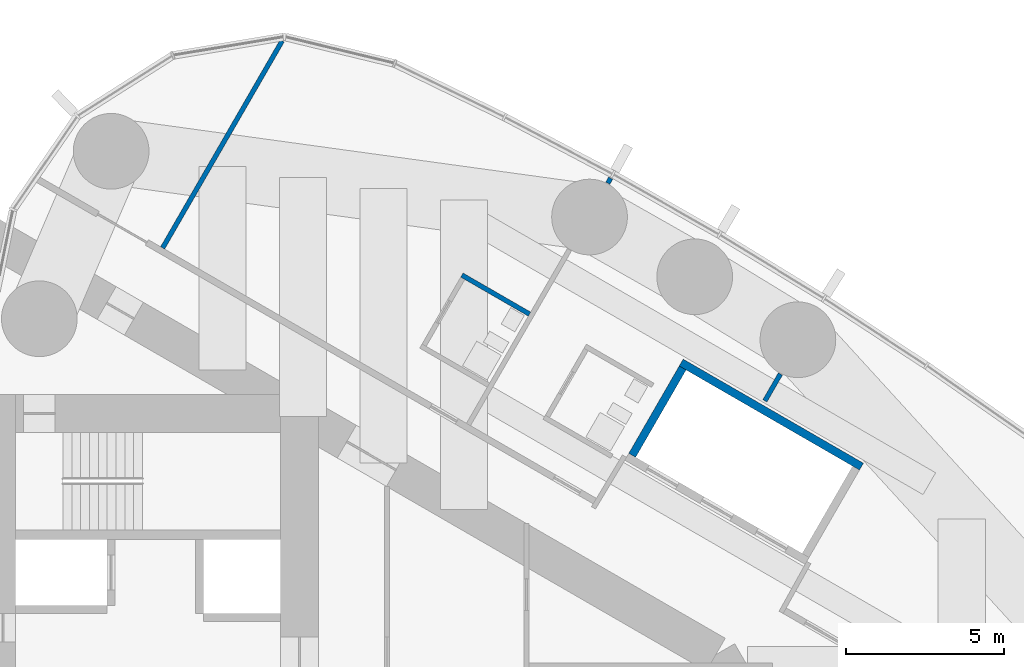
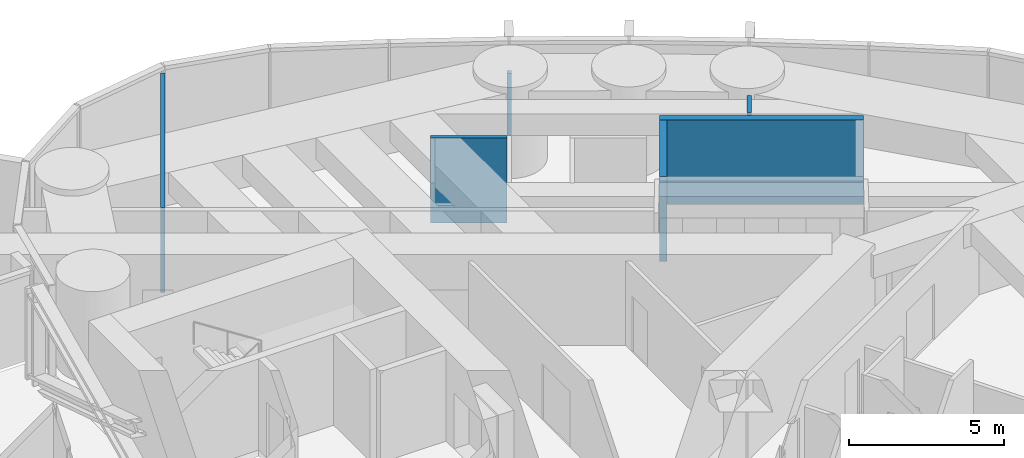
# One storey, part 21 of 24: 6 walls.
"""IFC4 building model written with IfcOpenShell, lengths in metres."""

from ifc_helpers import new_model, si_unit, direction, frame, frame_2d, origin, place, context, subcontext, project, spatial, rectangle, extrude, material, layer, layer_set, type_object, element, save


model = new_model("IFC4")

# Units and contexts
model_context = context("Model", 3, precision=1e-05, world=origin(), true_north=direction((0.0, 1.0)))
body_context = subcontext(model_context, "Body", "Model", "MODEL_VIEW")
ifc_project = project(units=[si_unit("LENGTHUNIT", "METRE"), si_unit("AREAUNIT", "SQUARE_METRE"), si_unit("VOLUMEUNIT", "CUBIC_METRE"), si_unit("PLANEANGLEUNIT", "RADIAN"), si_unit("MASSUNIT", "GRAM", prefix="KILO")], contexts=[model_context])

# Site, building, storey
site_placement = place(None, origin())
site = spatial("IfcSite", under=ifc_project, at=site_placement, CompositionType="ELEMENT")
building_placement = place(site_placement, origin())
building = spatial("IfcBuilding", under=site, at=building_placement, Name="Lancet Gate Hotel", CompositionType="ELEMENT")
storey_placement = place(building_placement, frame((0.0, 0.0, 244.10009765625)))
storey = spatial("IfcBuildingStorey", under=building, at=storey_placement, Name="L65", CompositionType="ELEMENT", Elevation=244.10009765625)

# Walls
ifc_material_1 = material(Name="Moisture resistant board partition")
ifc_layer_1 = layer(ifc_material_1, 0.14990234375)
ifc_layer_set_1 = layer_set([ifc_layer_1], Name="Bathroom wall 150")
wall_type_1 = type_object("IfcWallType", Name="Bathroom wall 150", PredefinedType="PARTITIONING", material=ifc_layer_set_1)
wall_1_placement = place(storey_placement, frame((42.451171875, 12.384765625, 0.0), z_axis=(0.0, 0.0, 1.0), x_axis=(0.866031185235, -0.4999899861, 0.0)))
element("IfcWall", 1, at=wall_1_placement, inside=storey, type_object=wall_type_1, Name="T2 bathroom wall 150 L65", PredefinedType="PARTITIONING", context=body_context, shape_type="SweptSolid", body=[
    extrude(rectangle(XDim=2.47509765625, YDim=0.14990234375, at=frame_2d((1.237548828125, 0.0))), origin(), (0.0, 0.0, 1.0), 3.349853515625),
])
ifc_material_2 = material(Name="Gypsum board partition")
ifc_layer_2 = layer(ifc_material_2, 0.25)
ifc_layer_set_2 = layer_set([ifc_layer_2], Name="Lift shaft partition 250")
wall_type_2 = type_object("IfcWallType", Name="Lift shaft partition 250", PredefinedType="PARTITIONING", material=ifc_layer_set_2)
wall_2_placement = place(storey_placement, frame((49.406494140625, 9.61083984375, 0.0), z_axis=(0.0, 0.0, 1.0), x_axis=(0.86603344179, -0.499986077507, 0.0)))
element("IfcWall", 2, at=wall_2_placement, inside=storey, type_object=wall_type_2, Name="T2 lift shaft wall HL L65", PredefinedType="PARTITIONING", context=body_context, shape_type="SweptSolid", body=[
    extrude(rectangle(XDim=6.600341796875, YDim=0.25, at=frame_2d((3.30029296875, 0.0))), origin(), (0.0, 0.0, 1.0), 3.349853515625),
])
wall_3_placement = place(storey_placement, frame((47.852294921875, 6.66796875, 0.0), z_axis=(0.0, 0.0, 1.0), x_axis=(0.499929347863, 0.866066190972, 0.0)))
element("IfcWall", 3, at=wall_3_placement, inside=storey, type_object=wall_type_2, Name="T2 lift shaft wall HL L65", PredefinedType="PARTITIONING", context=body_context, shape_type="SweptSolid", body=[
    extrude(rectangle(XDim=3.20068359375, YDim=0.25, at=frame_2d((1.600341796875, 0.0))), origin(), (0.0, 0.0, 1.0), 3.349853515625),
])
ifc_material_3 = material(Name="Gypsum board partition")
ifc_layer_3 = layer(ifc_material_3, 0.14990234375)
ifc_layer_set_3 = layer_set([ifc_layer_3], Name="Party wall 150")
wall_type_3 = type_object("IfcWallType", Name="Party wall 150", PredefinedType="PARTITIONING", material=ifc_layer_set_3)
wall_4_placement = place(storey_placement, frame((32.9599609375, 13.24560546875, 0.0), z_axis=(0.0, 0.0, 1.0), x_axis=(0.500000236886, 0.866025267018, 0.0)))
element("IfcWall", 4, at=wall_4_placement, inside=storey, type_object=wall_type_3, Name="T2 party wall 150 L65", PredefinedType="PARTITIONING", context=body_context, shape_type="SweptSolid", body=[
    extrude(rectangle(XDim=7.58251953125, YDim=0.14990234375, at=frame_2d((3.791259765625, 0.0))), origin(), (0.0, 0.0, 1.0), 3.349853515625),
])
wall_5_placement = place(storey_placement, frame((47.078857421875, 15.2998046875, 0.0), z_axis=(0.0, 0.0, 1.0), x_axis=(0.499212083968, 0.866479829667, 0.0)))
element("IfcWall", 5, at=wall_5_placement, inside=storey, type_object=wall_type_3, Name="T2 party wall 150 L65", PredefinedType="PARTITIONING", context=body_context, shape_type="SweptSolid", body=[
    extrude(rectangle(XDim=0.179443359375, YDim=0.14990234375, at=frame_2d((0.08984375, 0.0))), origin(), (0.0, 0.0, 1.0), 2.449951171875),
])
wall_6_placement = place(storey_placement, frame((52.060302734375, 8.396240234375, 0.0), z_axis=(0.0, 0.0, 1.0), x_axis=(0.500095379624, 0.865970329329, 0.0)))
element("IfcWall", 6, at=wall_6_placement, inside=storey, type_object=wall_type_3, Name="T2 party wall 150 L65", PredefinedType="PARTITIONING", context=body_context, shape_type="SweptSolid", body=[
    extrude(rectangle(XDim=0.982177734375, YDim=0.14990234375, at=frame_2d((0.4912109375, 0.0))), origin(), (0.0, 0.0, 1.0), 3.349853515625),
])

save(model, "model.ifc")
